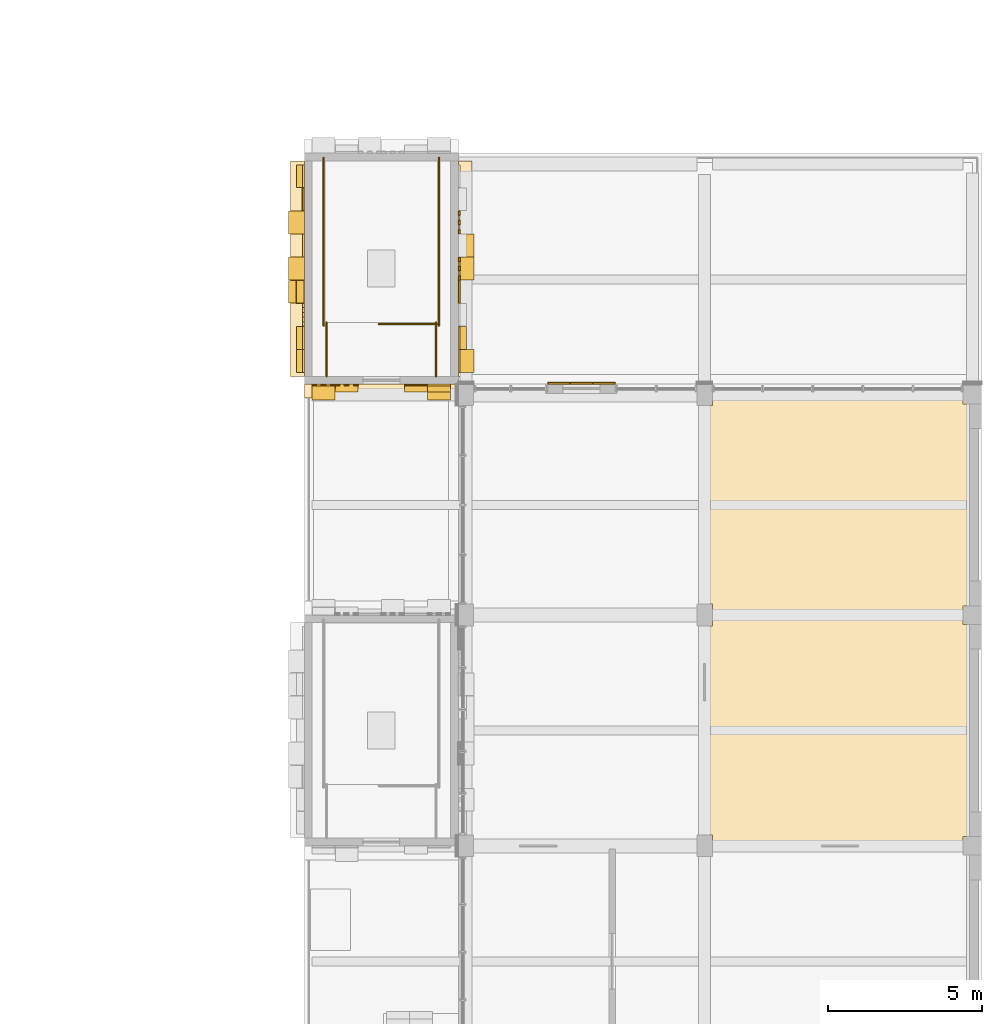
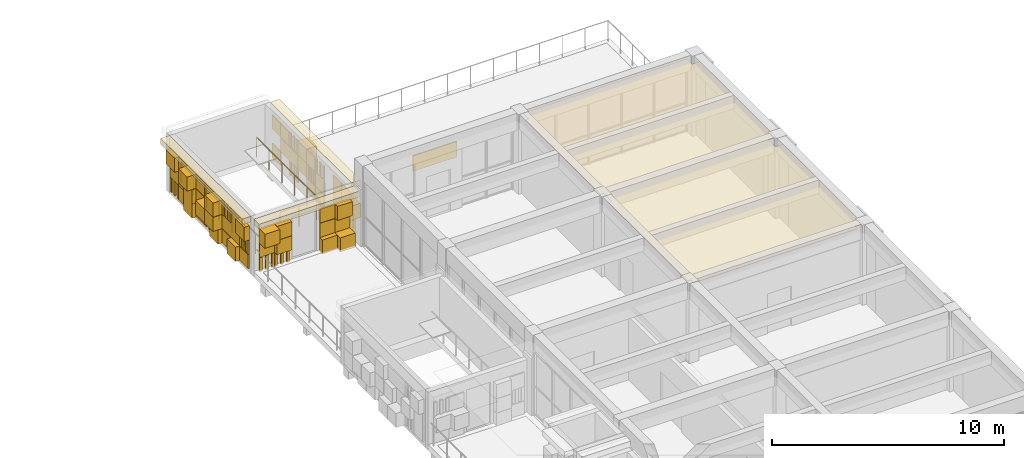
# One storey, part 25 of 26: 22 coverings, 5 railings.
"""IFC4 building model written with IfcOpenShell, lengths in metres."""

from ifc_helpers import new_model, si_unit, direction, frame, origin, origin_2d, place, context, subcontext, project, spatial, polyline, rectangle, circle, outline, extrude, material, layer, layer_set, type_object, element, save


model = new_model("IFC4")

# Units and contexts
model_context = context("Model", 3, precision=1e-05, world=origin(), true_north=direction((0.0, 1.0)))
body_context = subcontext(model_context, "Body", "Model", "MODEL_VIEW")
ifc_project = project(units=[si_unit("LENGTHUNIT", "METRE"), si_unit("AREAUNIT", "SQUARE_METRE"), si_unit("VOLUMEUNIT", "CUBIC_METRE"), si_unit("PLANEANGLEUNIT", "RADIAN"), si_unit("MASSUNIT", "GRAM", prefix="KILO")], contexts=[model_context])

# Site, building, storey
site_placement = place(None, origin())
site = spatial("IfcSite", under=ifc_project, at=site_placement, CompositionType="ELEMENT")
building_placement = place(site_placement, origin())
building = spatial("IfcBuilding", under=site, at=building_placement, Name="Sun Court Science Centre", CompositionType="ELEMENT")
storey_placement = place(building_placement, frame((0.0, 0.0, 29.25)))
storey = spatial("IfcBuildingStorey", under=building, at=storey_placement, Name="L06", CompositionType="ELEMENT", Elevation=29.25)

# Covering
ifc_material_1 = material(Name="Gypsum board")
ifc_layer_1 = layer(ifc_material_1, 0.030029296875)
ifc_layer_set_1 = layer_set([ifc_layer_1], Name="Gypsum board")
covering_type_1 = type_object("IfcCoveringType", Name="Ceiling suspended 600 module", PredefinedType="CEILING", material=ifc_layer_set_1)
covering_1_placement = place(storey_placement, frame((0.0, 0.0, 3.77001953125)))
element("IfcCovering", 1, at=covering_1_placement, inside=storey, type_object=covering_type_1, Name="L06-010 ceiling", PredefinedType="CEILING", context=body_context, shape_type="SweptSolid", body=[
    extrude(outline(polyline([(103.800048828125, 72.85009765625), (103.800048828125, 66.300048828125), (103.39990234375, 66.300048828125), (103.39990234375, 65.699951171875), (103.800048828125, 65.699951171875), (103.800048828125, 58.800048828125), (103.39990234375, 58.800048828125), (103.39990234375, 58.60009765625), (95.25, 58.60009765625), (95.25, 58.85009765625), (95.10009765625, 58.85009765625), (95.10009765625, 65.64990234375), (95.25, 65.64990234375), (95.25, 66.35009765625), (95.10009765625, 66.35009765625), (95.10009765625, 72.800048828125), (95.25, 72.800048828125), (95.25, 73.300048828125), (103.39990234375, 73.300048828125), (103.39990234375, 72.85009765625), (103.800048828125, 72.85009765625)])), origin(), (0.0, 0.0, 1.0), 0.030029296875),
])

# Railings
ifc_material_2 = material(Name="Steel S275", Category="steel")
railing_type = type_object("IfcRailingType", Name="Guard 1100 steel balustrade", PredefinedType="GUARDRAIL", material=ifc_material_2)
railing_placement = place(storey_placement, frame((86.322998046875, 75.447998046875, 0.0)))
element("IfcRailing", 2, at=railing_placement, inside=storey, type_object=railing_type, Name="L06 SL4 top well guard 1", PredefinedType="GUARDRAIL", context=body_context, shape_type="SweptSolid", body=[
    extrude(circle(Radius=0.02392578125, at=origin_2d()), frame((0.0, 0.0, 1.076171875), z_axis=(-1.0, 0.0, 0.0), x_axis=(0.0, -1.0, 0.0)), (0.0, 0.0, 1.0), 1.89794921875),
    extrude(circle(Radius=0.02099609375, at=origin_2d()), origin(), (0.0, 0.0, 1.0), 1.052001953125),
    extrude(circle(Radius=0.02099609375, at=origin_2d()), frame((-0.948974609375, 0.0, 0.0)), (0.0, 0.0, 1.0), 1.052001953125),
    extrude(circle(Radius=0.02099609375, at=origin_2d()), frame((-1.89794921875, 0.0, 0.0)), (0.0, 0.0, 1.0), 1.052001953125),
])
for number, where, name in (
    (3, (86.373046875, 75.39794921875, 0.0), "L06 SL4 top well guard 2"),
    (4, (82.626953125, 75.39794921875, 0.0), "L06 SL4 top well guard 3"),
):
    element("IfcRailing", number, at=place(storey_placement, frame(where)), inside=storey, type_object=railing_type, Name=name, PredefinedType="GUARDRAIL", context=body_context, shape_type="SweptSolid", body=[
        extrude(circle(Radius=0.02392578125, at=origin_2d()), frame((0.0, 0.0, 1.076171875), z_axis=(0.0, 1.0, 0.0), x_axis=(-1.0, 0.0, 0.0)), (0.0, 0.0, 1.0), 5.4521484375),
        extrude(circle(Radius=0.02099609375, at=origin_2d()), origin(), (0.0, 0.0, 1.0), 1.052001953125),
        extrude(circle(Radius=0.02099609375, at=origin_2d()), frame((0.0, 1.09033203125, 0.0)), (0.0, 0.0, 1.0), 1.052001953125),
        extrude(circle(Radius=0.02099609375, at=origin_2d()), frame((0.0, 2.180908203125, 0.0)), (0.0, 0.0, 1.0), 1.052001953125),
        extrude(circle(Radius=0.02099609375, at=origin_2d()), frame((0.0, 3.271240234375, 0.0)), (0.0, 0.0, 1.0), 1.052001953125),
        extrude(circle(Radius=0.02099609375, at=origin_2d()), frame((0.0, 4.36181640625, 0.0)), (0.0, 0.0, 1.0), 1.052001953125),
        extrude(circle(Radius=0.02099609375, at=origin_2d()), frame((0.0, 5.4521484375, 0.0)), (0.0, 0.0, 1.0), 1.052001953125),
    ])
for number, where, name in (
    (5, (86.27294921875, 73.75, 0.0), "L06 SL4 top well guard 4"),
    (6, (82.72705078125, 73.75, 0.0), "L06 SL4 top well guard 5"),
):
    element("IfcRailing", number, at=place(storey_placement, frame(where)), inside=storey, type_object=railing_type, Name=name, PredefinedType="GUARDRAIL", context=body_context, shape_type="SweptSolid", body=[
        extrude(circle(Radius=0.02392578125, at=origin_2d()), frame((0.0, 0.0, 1.076171875), z_axis=(0.0, 1.0, 0.0), x_axis=(-1.0, 0.0, 0.0)), (0.0, 0.0, 1.0), 1.748046875),
        extrude(circle(Radius=0.02099609375, at=origin_2d()), origin(), (0.0, 0.0, 1.0), 1.052001953125),
        extrude(circle(Radius=0.02099609375, at=origin_2d()), frame((0.0, 0.8740234375, 0.0)), (0.0, 0.0, 1.0), 1.052001953125),
        extrude(circle(Radius=0.02099609375, at=origin_2d()), frame((0.0, 1.748046875, 0.0)), (0.0, 0.0, 1.0), 1.052001953125),
    ])

# Coverings
ifc_material_3 = material(Name="Red sandstone", Category="masonry")
ifc_layer_2 = layer(ifc_material_3, 0.06005859375)
ifc_layer_set_2 = layer_set([ifc_layer_2], Name="Red sandstone")
covering_type_2 = type_object("IfcCoveringType", Name="Red sandstone wall cladding 750", PredefinedType="CLADDING", material=ifc_layer_set_2)
covering_2_placement = place(storey_placement, frame((0.0, 0.0, -29.25)))
element("IfcCovering", 7, at=covering_2_placement, inside=storey, type_object=covering_type_2, Name="Red sandstone wall cladding observatory north face L06", PredefinedType="CLADDING", context=body_context, shape_type="SweptSolid", body=[
    extrude(rectangle(XDim=0.723388671875, YDim=0.06005859375, at=origin_2d()), frame((90.2666015625, 73.530029296875, 31.72998046875), z_axis=(0.0, 0.0, 1.0), x_axis=(1.0, 0.0, 0.0)), (0.0, 0.0, 1.0), 0.81494140625),
    extrude(rectangle(XDim=0.723388671875, YDim=0.06005859375, at=origin_2d()), frame((91.0, 73.530029296875, 31.72998046875), z_axis=(0.0, 0.0, 1.0), x_axis=(1.0, 0.0, 0.0)), (0.0, 0.0, 1.0), 0.81494140625),
    extrude(rectangle(XDim=0.723388671875, YDim=0.06005859375, at=origin_2d()), frame((91.7333984375, 73.530029296875, 31.72998046875), z_axis=(0.0, 0.0, 1.0), x_axis=(1.0, 0.0, 0.0)), (0.0, 0.0, 1.0), 0.81494140625),
])
ifc_material_4 = material(Name="Terracotta panel", Category="masonry")
ifc_layer_3 = layer(ifc_material_4, 0.449951171875)
ifc_layer_set_3 = layer_set([ifc_layer_3], Name="Terracotta panel")
covering_type_3 = type_object("IfcCoveringType", Name="Terracotta cornice 450", PredefinedType="CLADDING", material=ifc_layer_set_3)
covering_3_placement = place(storey_placement, frame((0.0, 0.0, -29.25)))
element("IfcCovering", 8, at=covering_3_placement, inside=storey, type_object=covering_type_3, Name="Terracotta cornice east face of core L06", PredefinedType="CLADDING", context=body_context, shape_type="SweptSolid", body=[
    extrude(rectangle(XDim=7.0, YDim=0.449951171875, at=origin_2d()), frame((87.22509765625, 77.25, 31.7001953125), z_axis=(0.0, 0.0, 1.0), x_axis=(0.0, -1.0, 0.0)), (0.0, 0.0, 1.0), 0.300048828125),
])
covering_4_placement = place(storey_placement, frame((0.0, 0.0, -29.25)))
element("IfcCovering", 9, at=covering_4_placement, inside=storey, type_object=covering_type_3, Name="Terracotta cornice south face of core L06", PredefinedType="CLADDING", context=body_context, shape_type="SweptSolid", body=[
    extrude(rectangle(XDim=5.0, YDim=0.449951171875, at=origin_2d()), frame((84.5, 73.27490234375, 31.7001953125), z_axis=(0.0, 0.0, 1.0), x_axis=(-1.0, 0.0, 0.0)), (0.0, 0.0, 1.0), 0.300048828125),
])
covering_5_placement = place(storey_placement, frame((0.0, 0.0, -29.25)))
element("IfcCovering", 10, at=covering_5_placement, inside=storey, type_object=covering_type_3, Name="Terracotta cornice west face of core L06", PredefinedType="CLADDING", context=body_context, shape_type="SweptSolid", body=[
    extrude(rectangle(XDim=7.0, YDim=0.449951171875, at=origin_2d()), frame((81.77490234375, 77.25, 31.7001953125), z_axis=(0.0, 0.0, 1.0), x_axis=(0.0, 1.0, 0.0)), (0.0, 0.0, 1.0), 0.300048828125),
])
ifc_material_5 = material(Name="Terracotta jali", Category="masonry")
ifc_layer_4 = layer(ifc_material_5, 0.06005859375)
ifc_layer_set_4 = layer_set([ifc_layer_4], Name="Terracotta jali")
covering_type_4 = type_object("IfcCoveringType", Name="Terracotta open jali panel", PredefinedType="CLADDING", material=ifc_layer_set_4)
covering_6_placement = place(storey_placement, frame((0.0, 0.0, -29.25)))
element("IfcCovering", 11, at=covering_6_placement, inside=storey, type_object=covering_type_4, Name="Open jali pixel cladding east face of core L06", PredefinedType="CLADDING", context=body_context, shape_type="SweptSolid", body=[
    extrude(rectangle(XDim=0.139892578125, YDim=0.06005859375, at=origin_2d()), frame((87.030029296875, 79.050048828125, 29.18017578125), z_axis=(0.0, 0.0, 1.0), x_axis=(0.0, -1.0, 0.0)), (0.0, 0.0, 1.0), 0.739990234375),
    extrude(rectangle(XDim=0.139892578125, YDim=0.06005859375, at=origin_2d()), frame((87.030029296875, 78.75, 29.18017578125), z_axis=(0.0, 0.0, 1.0), x_axis=(0.0, -1.0, 0.0)), (0.0, 0.0, 1.0), 0.739990234375),
    extrude(rectangle(XDim=0.139892578125, YDim=0.06005859375, at=origin_2d()), frame((87.030029296875, 78.449951171875, 29.18017578125), z_axis=(0.0, 0.0, 1.0), x_axis=(0.0, -1.0, 0.0)), (0.0, 0.0, 1.0), 0.739990234375),
    extrude(rectangle(XDim=0.139892578125, YDim=0.06005859375, at=origin_2d()), frame((87.030029296875, 77.550048828125, 29.93017578125), z_axis=(0.0, 0.0, 1.0), x_axis=(0.0, -1.0, 0.0)), (0.0, 0.0, 1.0), 0.739990234375),
    extrude(rectangle(XDim=0.139892578125, YDim=0.06005859375, at=origin_2d()), frame((87.030029296875, 77.25, 29.93017578125), z_axis=(0.0, 0.0, 1.0), x_axis=(0.0, -1.0, 0.0)), (0.0, 0.0, 1.0), 0.739990234375),
    extrude(rectangle(XDim=0.139892578125, YDim=0.06005859375, at=origin_2d()), frame((87.030029296875, 76.949951171875, 29.93017578125), z_axis=(0.0, 0.0, 1.0), x_axis=(0.0, -1.0, 0.0)), (0.0, 0.0, 1.0), 0.739990234375),
    extrude(rectangle(XDim=0.139892578125, YDim=0.06005859375, at=origin_2d()), frame((87.030029296875, 79.050048828125, 30.68017578125), z_axis=(0.0, 0.0, 1.0), x_axis=(0.0, -1.0, 0.0)), (0.0, 0.0, 1.0), 0.739990234375),
    extrude(rectangle(XDim=0.139892578125, YDim=0.06005859375, at=origin_2d()), frame((87.030029296875, 78.75, 30.68017578125), z_axis=(0.0, 0.0, 1.0), x_axis=(0.0, -1.0, 0.0)), (0.0, 0.0, 1.0), 0.739990234375),
    extrude(rectangle(XDim=0.139892578125, YDim=0.06005859375, at=origin_2d()), frame((87.030029296875, 78.449951171875, 30.68017578125), z_axis=(0.0, 0.0, 1.0), x_axis=(0.0, -1.0, 0.0)), (0.0, 0.0, 1.0), 0.739990234375),
    extrude(rectangle(XDim=0.139892578125, YDim=0.06005859375, at=origin_2d()), frame((87.030029296875, 76.800048828125, 30.68017578125), z_axis=(0.0, 0.0, 1.0), x_axis=(0.0, -1.0, 0.0)), (0.0, 0.0, 1.0), 0.739990234375),
    extrude(rectangle(XDim=0.139892578125, YDim=0.06005859375, at=origin_2d()), frame((87.030029296875, 76.5, 30.68017578125), z_axis=(0.0, 0.0, 1.0), x_axis=(0.0, -1.0, 0.0)), (0.0, 0.0, 1.0), 0.739990234375),
    extrude(rectangle(XDim=0.139892578125, YDim=0.06005859375, at=origin_2d()), frame((87.030029296875, 76.199951171875, 30.68017578125), z_axis=(0.0, 0.0, 1.0), x_axis=(0.0, -1.0, 0.0)), (0.0, 0.0, 1.0), 0.739990234375),
    extrude(rectangle(XDim=0.739990234375, YDim=0.06005859375, at=origin_2d()), frame((87.030029296875, 76.5, 29.93017578125), z_axis=(0.0, 0.0, 1.0), x_axis=(0.0, -1.0, 0.0)), (0.0, 0.0, 1.0), 0.739990234375),
])
covering_7_placement = place(storey_placement, frame((0.0, 0.0, -29.25)))
element("IfcCovering", 12, at=covering_7_placement, inside=storey, type_object=covering_type_4, Name="Open jali pixel cladding south face of core L06", PredefinedType="CLADDING", context=body_context, shape_type="SweptSolid", body=[
    extrude(rectangle(XDim=0.139892578125, YDim=0.06005859375, at=origin_2d()), frame((83.675048828125, 73.469970703125, 29.18017578125), z_axis=(0.0, 0.0, 1.0), x_axis=(-1.0, 0.0, 0.0)), (0.0, 0.0, 1.0), 0.739990234375),
    extrude(rectangle(XDim=0.139892578125, YDim=0.06005859375, at=origin_2d()), frame((83.375, 73.469970703125, 29.18017578125), z_axis=(0.0, 0.0, 1.0), x_axis=(-1.0, 0.0, 0.0)), (0.0, 0.0, 1.0), 0.739990234375),
    extrude(rectangle(XDim=0.139892578125, YDim=0.06005859375, at=origin_2d()), frame((83.074951171875, 73.469970703125, 29.18017578125), z_axis=(0.0, 0.0, 1.0), x_axis=(-1.0, 0.0, 0.0)), (0.0, 0.0, 1.0), 0.739990234375),
    extrude(rectangle(XDim=0.139892578125, YDim=0.06005859375, at=origin_2d()), frame((82.925048828125, 73.469970703125, 29.18017578125), z_axis=(0.0, 0.0, 1.0), x_axis=(-1.0, 0.0, 0.0)), (0.0, 0.0, 1.0), 0.739990234375),
    extrude(rectangle(XDim=0.139892578125, YDim=0.06005859375, at=origin_2d()), frame((82.625, 73.469970703125, 29.18017578125), z_axis=(0.0, 0.0, 1.0), x_axis=(-1.0, 0.0, 0.0)), (0.0, 0.0, 1.0), 0.739990234375),
    extrude(rectangle(XDim=0.139892578125, YDim=0.06005859375, at=origin_2d()), frame((82.324951171875, 73.469970703125, 29.18017578125), z_axis=(0.0, 0.0, 1.0), x_axis=(-1.0, 0.0, 0.0)), (0.0, 0.0, 1.0), 0.739990234375),
])
covering_8_placement = place(storey_placement, frame((0.0, 0.0, -29.25)))
element("IfcCovering", 13, at=covering_8_placement, inside=storey, type_object=covering_type_4, Name="Open jali pixel cladding west face of core L06", PredefinedType="CLADDING", context=body_context, shape_type="SweptSolid", body=[
    extrude(rectangle(XDim=0.139892578125, YDim=0.06005859375, at=origin_2d()), frame((81.969970703125, 76.949951171875, 29.18017578125), z_axis=(0.0, 0.0, 1.0), x_axis=(0.0, 1.0, 0.0)), (0.0, 0.0, 1.0), 0.739990234375),
    extrude(rectangle(XDim=0.139892578125, YDim=0.06005859375, at=origin_2d()), frame((81.969970703125, 77.25, 29.18017578125), z_axis=(0.0, 0.0, 1.0), x_axis=(0.0, 1.0, 0.0)), (0.0, 0.0, 1.0), 0.739990234375),
    extrude(rectangle(XDim=0.139892578125, YDim=0.06005859375, at=origin_2d()), frame((81.969970703125, 77.550048828125, 29.18017578125), z_axis=(0.0, 0.0, 1.0), x_axis=(0.0, 1.0, 0.0)), (0.0, 0.0, 1.0), 0.739990234375),
    extrude(rectangle(XDim=0.139892578125, YDim=0.06005859375, at=origin_2d()), frame((81.969970703125, 79.949951171875, 29.18017578125), z_axis=(0.0, 0.0, 1.0), x_axis=(0.0, 1.0, 0.0)), (0.0, 0.0, 1.0), 0.739990234375),
    extrude(rectangle(XDim=0.139892578125, YDim=0.06005859375, at=origin_2d()), frame((81.969970703125, 80.25, 29.18017578125), z_axis=(0.0, 0.0, 1.0), x_axis=(0.0, 1.0, 0.0)), (0.0, 0.0, 1.0), 0.739990234375),
    extrude(rectangle(XDim=0.139892578125, YDim=0.06005859375, at=origin_2d()), frame((81.969970703125, 80.550048828125, 29.18017578125), z_axis=(0.0, 0.0, 1.0), x_axis=(0.0, 1.0, 0.0)), (0.0, 0.0, 1.0), 0.739990234375),
    extrude(rectangle(XDim=0.139892578125, YDim=0.06005859375, at=origin_2d()), frame((81.969970703125, 73.949951171875, 29.93017578125), z_axis=(0.0, 0.0, 1.0), x_axis=(0.0, 1.0, 0.0)), (0.0, 0.0, 1.0), 0.739990234375),
    extrude(rectangle(XDim=0.139892578125, YDim=0.06005859375, at=origin_2d()), frame((81.969970703125, 74.25, 29.93017578125), z_axis=(0.0, 0.0, 1.0), x_axis=(0.0, 1.0, 0.0)), (0.0, 0.0, 1.0), 0.739990234375),
    extrude(rectangle(XDim=0.139892578125, YDim=0.06005859375, at=origin_2d()), frame((81.969970703125, 74.550048828125, 29.93017578125), z_axis=(0.0, 0.0, 1.0), x_axis=(0.0, 1.0, 0.0)), (0.0, 0.0, 1.0), 0.739990234375),
    extrude(rectangle(XDim=0.139892578125, YDim=0.06005859375, at=origin_2d()), frame((81.969970703125, 75.449951171875, 30.68017578125), z_axis=(0.0, 0.0, 1.0), x_axis=(0.0, 1.0, 0.0)), (0.0, 0.0, 1.0), 0.739990234375),
    extrude(rectangle(XDim=0.139892578125, YDim=0.06005859375, at=origin_2d()), frame((81.969970703125, 75.75, 30.68017578125), z_axis=(0.0, 0.0, 1.0), x_axis=(0.0, 1.0, 0.0)), (0.0, 0.0, 1.0), 0.739990234375),
    extrude(rectangle(XDim=0.139892578125, YDim=0.06005859375, at=origin_2d()), frame((81.969970703125, 76.050048828125, 30.68017578125), z_axis=(0.0, 0.0, 1.0), x_axis=(0.0, 1.0, 0.0)), (0.0, 0.0, 1.0), 0.739990234375),
    extrude(rectangle(XDim=0.739990234375, YDim=0.260009765625, at=origin_2d()), frame((81.8701171875, 80.25, 30.68017578125), z_axis=(0.0, 0.0, 1.0), x_axis=(0.0, 1.0, 0.0)), (0.0, 0.0, 1.0), 0.739990234375),
    extrude(rectangle(XDim=0.739990234375, YDim=0.260009765625, at=origin_2d()), frame((81.8701171875, 74.25, 30.68017578125), z_axis=(0.0, 0.0, 1.0), x_axis=(0.0, 1.0, 0.0)), (0.0, 0.0, 1.0), 0.739990234375),
])
ifc_material_6 = material(Name="Terracotta shade 1", Category="masonry")
ifc_layer_5 = layer(ifc_material_6, 0.06005859375)
ifc_layer_set_5 = layer_set([ifc_layer_5], Name="Terracotta shade 1")
covering_type_5 = type_object("IfcCoveringType", Name="Terracotta pixel panel shade 1", PredefinedType="CLADDING", material=ifc_layer_set_5)
covering_9_placement = place(storey_placement, frame((0.0, 0.0, -29.25)))
element("IfcCovering", 14, at=covering_9_placement, inside=storey, type_object=covering_type_5, Name="Terracotta pixel cladding shade 1 east face of core L06", PredefinedType="CLADDING", context=body_context, shape_type="SweptSolid", body=[
    extrude(rectangle(XDim=0.739990234375, YDim=0.260009765625, at=origin_2d()), frame((87.1298828125, 75.0, 29.18017578125), z_axis=(0.0, 0.0, 1.0), x_axis=(0.0, -1.0, 0.0)), (0.0, 0.0, 1.0), 0.739990234375),
    extrude(rectangle(XDim=0.739990234375, YDim=0.06005859375, at=origin_2d()), frame((87.030029296875, 79.5, 29.93017578125), z_axis=(0.0, 0.0, 1.0), x_axis=(0.0, -1.0, 0.0)), (0.0, 0.0, 1.0), 0.739990234375),
    extrude(rectangle(XDim=0.739990234375, YDim=0.06005859375, at=origin_2d()), frame((87.030029296875, 78.75, 29.93017578125), z_axis=(0.0, 0.0, 1.0), x_axis=(0.0, -1.0, 0.0)), (0.0, 0.0, 1.0), 0.739990234375),
    extrude(rectangle(XDim=0.739990234375, YDim=0.510009765625, at=origin_2d()), frame((87.2548828125, 74.25, 29.93017578125), z_axis=(0.0, 0.0, 1.0), x_axis=(0.0, -1.0, 0.0)), (0.0, 0.0, 1.0), 0.739990234375),
    extrude(rectangle(XDim=0.739990234375, YDim=0.06005859375, at=origin_2d()), frame((87.030029296875, 80.25, 30.68017578125), z_axis=(0.0, 0.0, 1.0), x_axis=(0.0, -1.0, 0.0)), (0.0, 0.0, 1.0), 0.739990234375),
    extrude(rectangle(XDim=0.739990234375, YDim=0.510009765625, at=origin_2d()), frame((87.2548828125, 78.0, 30.68017578125), z_axis=(0.0, 0.0, 1.0), x_axis=(0.0, -1.0, 0.0)), (0.0, 0.0, 1.0), 0.739990234375),
    extrude(rectangle(XDim=0.739990234375, YDim=0.06005859375, at=origin_2d()), frame((87.030029296875, 74.25, 30.68017578125), z_axis=(0.0, 0.0, 1.0), x_axis=(0.0, -1.0, 0.0)), (0.0, 0.0, 1.0), 0.739990234375),
    extrude(rectangle(XDim=0.739990234375, YDim=0.06005859375, at=origin_2d()), frame((87.030029296875, 80.25, 29.18017578125), z_axis=(0.0, 0.0, 1.0), x_axis=(0.0, -1.0, 0.0)), (0.0, 0.0, 1.0), 0.739990234375),
    extrude(rectangle(XDim=0.739990234375, YDim=0.260009765625, at=origin_2d()), frame((87.1298828125, 74.25, 29.18017578125), z_axis=(0.0, 0.0, 1.0), x_axis=(0.0, -1.0, 0.0)), (0.0, 0.0, 1.0), 0.739990234375),
])
covering_10_placement = place(storey_placement, frame((0.0, 0.0, -29.25)))
element("IfcCovering", 15, at=covering_10_placement, inside=storey, type_object=covering_type_5, Name="Terracotta pixel cladding shade 1 south face of core L06", PredefinedType="CLADDING", context=body_context, shape_type="SweptSolid", body=[
    extrude(rectangle(XDim=0.739990234375, YDim=0.06005859375, at=origin_2d()), frame((85.625, 73.469970703125, 29.93017578125), z_axis=(0.0, 0.0, 1.0), x_axis=(-1.0, 0.0, 0.0)), (0.0, 0.0, 1.0), 0.739990234375),
    extrude(rectangle(XDim=0.739990234375, YDim=0.260009765625, at=origin_2d()), frame((83.375, 73.3701171875, 29.93017578125), z_axis=(0.0, 0.0, 1.0), x_axis=(-1.0, 0.0, 0.0)), (0.0, 0.0, 1.0), 0.739990234375),
    extrude(rectangle(XDim=0.739990234375, YDim=0.510009765625, at=origin_2d()), frame((82.625, 73.2451171875, 30.68017578125), z_axis=(0.0, 0.0, 1.0), x_axis=(-1.0, 0.0, 0.0)), (0.0, 0.0, 1.0), 0.739990234375),
])
covering_11_placement = place(storey_placement, frame((0.0, 0.0, -29.25)))
element("IfcCovering", 16, at=covering_11_placement, inside=storey, type_object=covering_type_5, Name="Terracotta pixel cladding shade 1 west face of core L06", PredefinedType="CLADDING", context=body_context, shape_type="SweptSolid", body=[
    extrude(rectangle(XDim=0.739990234375, YDim=0.260009765625, at=origin_2d()), frame((81.8701171875, 75.0, 29.18017578125), z_axis=(0.0, 0.0, 1.0), x_axis=(0.0, 1.0, 0.0)), (0.0, 0.0, 1.0), 0.739990234375),
    extrude(rectangle(XDim=0.739990234375, YDim=0.06005859375, at=origin_2d()), frame((81.969970703125, 75.75, 29.18017578125), z_axis=(0.0, 0.0, 1.0), x_axis=(0.0, 1.0, 0.0)), (0.0, 0.0, 1.0), 0.739990234375),
    extrude(rectangle(XDim=0.739990234375, YDim=0.06005859375, at=origin_2d()), frame((81.969970703125, 75.75, 29.93017578125), z_axis=(0.0, 0.0, 1.0), x_axis=(0.0, 1.0, 0.0)), (0.0, 0.0, 1.0), 0.739990234375),
    extrude(rectangle(XDim=0.739990234375, YDim=0.06005859375, at=origin_2d()), frame((81.969970703125, 78.0, 29.93017578125), z_axis=(0.0, 0.0, 1.0), x_axis=(0.0, 1.0, 0.0)), (0.0, 0.0, 1.0), 0.739990234375),
    extrude(rectangle(XDim=0.739990234375, YDim=0.06005859375, at=origin_2d()), frame((81.969970703125, 75.0, 30.68017578125), z_axis=(0.0, 0.0, 1.0), x_axis=(0.0, 1.0, 0.0)), (0.0, 0.0, 1.0), 0.739990234375),
    extrude(rectangle(XDim=0.739990234375, YDim=0.510009765625, at=origin_2d()), frame((81.7451171875, 76.5, 30.68017578125), z_axis=(0.0, 0.0, 1.0), x_axis=(0.0, 1.0, 0.0)), (0.0, 0.0, 1.0), 0.739990234375),
    extrude(rectangle(XDim=0.739990234375, YDim=0.06005859375, at=origin_2d()), frame((81.969970703125, 79.5, 30.68017578125), z_axis=(0.0, 0.0, 1.0), x_axis=(0.0, 1.0, 0.0)), (0.0, 0.0, 1.0), 0.739990234375),
    extrude(rectangle(XDim=0.739990234375, YDim=0.06005859375, at=origin_2d()), frame((81.969970703125, 75.0, 29.93017578125), z_axis=(0.0, 0.0, 1.0), x_axis=(0.0, 1.0, 0.0)), (0.0, 0.0, 1.0), 0.739990234375),
    extrude(rectangle(XDim=0.739990234375, YDim=0.06005859375, at=origin_2d()), frame((81.969970703125, 79.5, 29.93017578125), z_axis=(0.0, 0.0, 1.0), x_axis=(0.0, 1.0, 0.0)), (0.0, 0.0, 1.0), 0.739990234375),
])
ifc_material_7 = material(Name="Terracotta shade 2", Category="masonry")
ifc_layer_6 = layer(ifc_material_7, 0.06005859375)
ifc_layer_set_6 = layer_set([ifc_layer_6], Name="Terracotta shade 2")
covering_type_6 = type_object("IfcCoveringType", Name="Terracotta pixel panel shade 2", PredefinedType="CLADDING", material=ifc_layer_set_6)
covering_12_placement = place(storey_placement, frame((0.0, 0.0, -29.25)))
element("IfcCovering", 17, at=covering_12_placement, inside=storey, type_object=covering_type_6, Name="Terracotta pixel cladding shade 2 east face of core L06", PredefinedType="CLADDING", context=body_context, shape_type="SweptSolid", body=[
    extrude(rectangle(XDim=0.739990234375, YDim=0.510009765625, at=origin_2d()), frame((87.2548828125, 77.25, 29.18017578125), z_axis=(0.0, 0.0, 1.0), x_axis=(0.0, -1.0, 0.0)), (0.0, 0.0, 1.0), 0.739990234375),
    extrude(rectangle(XDim=0.739990234375, YDim=0.510009765625, at=origin_2d()), frame((87.2548828125, 78.0, 29.93017578125), z_axis=(0.0, 0.0, 1.0), x_axis=(0.0, -1.0, 0.0)), (0.0, 0.0, 1.0), 0.739990234375),
    extrude(rectangle(XDim=0.739990234375, YDim=0.06005859375, at=origin_2d()), frame((87.030029296875, 79.5, 30.68017578125), z_axis=(0.0, 0.0, 1.0), x_axis=(0.0, -1.0, 0.0)), (0.0, 0.0, 1.0), 0.739990234375),
    extrude(rectangle(XDim=0.739990234375, YDim=0.06005859375, at=origin_2d()), frame((87.030029296875, 77.25, 30.68017578125), z_axis=(0.0, 0.0, 1.0), x_axis=(0.0, -1.0, 0.0)), (0.0, 0.0, 1.0), 0.739990234375),
])
covering_13_placement = place(storey_placement, frame((0.0, 0.0, -29.25)))
element("IfcCovering", 18, at=covering_13_placement, inside=storey, type_object=covering_type_6, Name="Terracotta pixel cladding shade 2 south face of core L06", PredefinedType="CLADDING", context=body_context, shape_type="SweptSolid", body=[
    extrude(rectangle(XDim=0.739990234375, YDim=0.510009765625, at=origin_2d()), frame((86.375, 73.2451171875, 29.18017578125), z_axis=(0.0, 0.0, 1.0), x_axis=(-1.0, 0.0, 0.0)), (0.0, 0.0, 1.0), 0.739990234375),
    extrude(rectangle(XDim=0.739990234375, YDim=0.260009765625, at=origin_2d()), frame((86.375, 73.3701171875, 30.68017578125), z_axis=(0.0, 0.0, 1.0), x_axis=(-1.0, 0.0, 0.0)), (0.0, 0.0, 1.0), 0.739990234375),
])
covering_14_placement = place(storey_placement, frame((0.0, 0.0, -29.25)))
element("IfcCovering", 19, at=covering_14_placement, inside=storey, type_object=covering_type_6, Name="Terracotta pixel cladding shade 2 west face of core L06", PredefinedType="CLADDING", context=body_context, shape_type="SweptSolid", body=[
    extrude(rectangle(XDim=0.739990234375, YDim=0.260009765625, at=origin_2d()), frame((81.8701171875, 78.75, 29.18017578125), z_axis=(0.0, 0.0, 1.0), x_axis=(0.0, 1.0, 0.0)), (0.0, 0.0, 1.0), 0.739990234375),
    extrude(rectangle(XDim=0.739990234375, YDim=0.260009765625, at=origin_2d()), frame((81.8701171875, 78.75, 29.93017578125), z_axis=(0.0, 0.0, 1.0), x_axis=(0.0, 1.0, 0.0)), (0.0, 0.0, 1.0), 0.739990234375),
    extrude(rectangle(XDim=0.739990234375, YDim=0.06005859375, at=origin_2d()), frame((81.969970703125, 77.25, 30.68017578125), z_axis=(0.0, 0.0, 1.0), x_axis=(0.0, 1.0, 0.0)), (0.0, 0.0, 1.0), 0.739990234375),
    extrude(rectangle(XDim=0.739990234375, YDim=0.06005859375, at=origin_2d()), frame((81.969970703125, 78.0, 30.68017578125), z_axis=(0.0, 0.0, 1.0), x_axis=(0.0, 1.0, 0.0)), (0.0, 0.0, 1.0), 0.739990234375),
    extrude(rectangle(XDim=0.739990234375, YDim=0.510009765625, at=origin_2d()), frame((81.7451171875, 78.75, 30.68017578125), z_axis=(0.0, 0.0, 1.0), x_axis=(0.0, 1.0, 0.0)), (0.0, 0.0, 1.0), 0.739990234375),
])
ifc_material_8 = material(Name="Terracotta shade 3", Category="masonry")
ifc_layer_7 = layer(ifc_material_8, 0.06005859375)
ifc_layer_set_7 = layer_set([ifc_layer_7], Name="Terracotta shade 3")
covering_type_7 = type_object("IfcCoveringType", Name="Terracotta pixel panel shade 3", PredefinedType="CLADDING", material=ifc_layer_set_7)
covering_15_placement = place(storey_placement, frame((0.0, 0.0, -29.25)))
element("IfcCovering", 20, at=covering_15_placement, inside=storey, type_object=covering_type_7, Name="Terracotta pixel cladding shade 3 south face of core L06", PredefinedType="CLADDING", context=body_context, shape_type="SweptSolid", body=[
    extrude(rectangle(XDim=0.739990234375, YDim=0.260009765625, at=origin_2d()), frame((85.625, 73.3701171875, 29.18017578125), z_axis=(0.0, 0.0, 1.0), x_axis=(-1.0, 0.0, 0.0)), (0.0, 0.0, 1.0), 0.739990234375),
    extrude(rectangle(XDim=0.739990234375, YDim=0.06005859375, at=origin_2d()), frame((86.375, 73.469970703125, 29.93017578125), z_axis=(0.0, 0.0, 1.0), x_axis=(-1.0, 0.0, 0.0)), (0.0, 0.0, 1.0), 0.739990234375),
])
covering_16_placement = place(storey_placement, frame((0.0, 0.0, -29.25)))
element("IfcCovering", 21, at=covering_16_placement, inside=storey, type_object=covering_type_7, Name="Terracotta pixel cladding shade 3 west face of core L06", PredefinedType="CLADDING", context=body_context, shape_type="SweptSolid", body=[
    extrude(rectangle(XDim=0.739990234375, YDim=0.06005859375, at=origin_2d()), frame((81.969970703125, 78.0, 29.18017578125), z_axis=(0.0, 0.0, 1.0), x_axis=(0.0, 1.0, 0.0)), (0.0, 0.0, 1.0), 0.739990234375),
    extrude(rectangle(XDim=0.739990234375, YDim=0.510009765625, at=origin_2d()), frame((81.7451171875, 76.5, 29.93017578125), z_axis=(0.0, 0.0, 1.0), x_axis=(0.0, 1.0, 0.0)), (0.0, 0.0, 1.0), 0.739990234375),
])
ifc_material_9 = material(Name="Terracotta shade 4", Category="masonry")
ifc_layer_8 = layer(ifc_material_9, 0.06005859375)
ifc_layer_set_8 = layer_set([ifc_layer_8], Name="Terracotta shade 4")
covering_type_8 = type_object("IfcCoveringType", Name="Terracotta pixel panel shade 4", PredefinedType="CLADDING", material=ifc_layer_set_8)
covering_17_placement = place(storey_placement, frame((0.0, 0.0, -29.25)))
element("IfcCovering", 22, at=covering_17_placement, inside=storey, type_object=covering_type_8, Name="Terracotta pixel cladding shade 4 east face of core L06", PredefinedType="CLADDING", context=body_context, shape_type="SweptSolid", body=[
    extrude(rectangle(XDim=0.739990234375, YDim=0.06005859375, at=origin_2d()), frame((87.030029296875, 76.5, 29.18017578125), z_axis=(0.0, 0.0, 1.0), x_axis=(0.0, -1.0, 0.0)), (0.0, 0.0, 1.0), 0.739990234375),
])
covering_18_placement = place(storey_placement, frame((0.0, 0.0, -29.25)))
element("IfcCovering", 23, at=covering_18_placement, inside=storey, type_object=covering_type_8, Name="Terracotta pixel cladding shade 4 south face of core L06", PredefinedType="CLADDING", context=body_context, shape_type="SweptSolid", body=[
    extrude(rectangle(XDim=0.739990234375, YDim=0.06005859375, at=origin_2d()), frame((82.625, 73.469970703125, 29.93017578125), z_axis=(0.0, 0.0, 1.0), x_axis=(-1.0, 0.0, 0.0)), (0.0, 0.0, 1.0), 0.739990234375),
    extrude(rectangle(XDim=0.739990234375, YDim=0.260009765625, at=origin_2d()), frame((83.375, 73.3701171875, 30.68017578125), z_axis=(0.0, 0.0, 1.0), x_axis=(-1.0, 0.0, 0.0)), (0.0, 0.0, 1.0), 0.739990234375),
])
covering_19_placement = place(storey_placement, frame((0.0, 0.0, -29.25)))
element("IfcCovering", 24, at=covering_19_placement, inside=storey, type_object=covering_type_8, Name="Terracotta pixel cladding shade 4 west face of core L06", PredefinedType="CLADDING", context=body_context, shape_type="SweptSolid", body=[
    extrude(rectangle(XDim=0.739990234375, YDim=0.06005859375, at=origin_2d()), frame((81.969970703125, 74.25, 29.18017578125), z_axis=(0.0, 0.0, 1.0), x_axis=(0.0, 1.0, 0.0)), (0.0, 0.0, 1.0), 0.739990234375),
    extrude(rectangle(XDim=0.739990234375, YDim=0.510009765625, at=origin_2d()), frame((81.7451171875, 77.25, 29.93017578125), z_axis=(0.0, 0.0, 1.0), x_axis=(0.0, 1.0, 0.0)), (0.0, 0.0, 1.0), 0.739990234375),
    extrude(rectangle(XDim=0.739990234375, YDim=0.06005859375, at=origin_2d()), frame((81.969970703125, 80.25, 29.93017578125), z_axis=(0.0, 0.0, 1.0), x_axis=(0.0, 1.0, 0.0)), (0.0, 0.0, 1.0), 0.739990234375),
])
ifc_material_10 = material(Name="Terracotta shade 5", Category="masonry")
ifc_layer_9 = layer(ifc_material_10, 0.06005859375)
ifc_layer_set_9 = layer_set([ifc_layer_9], Name="Terracotta shade 5")
covering_type_9 = type_object("IfcCoveringType", Name="Terracotta pixel panel shade 5", PredefinedType="CLADDING", material=ifc_layer_set_9)
covering_20_placement = place(storey_placement, frame((0.0, 0.0, -29.25)))
element("IfcCovering", 25, at=covering_20_placement, inside=storey, type_object=covering_type_9, Name="Terracotta pixel cladding shade 5 east face of core L06", PredefinedType="CLADDING", context=body_context, shape_type="SweptSolid", body=[
    extrude(rectangle(XDim=0.739990234375, YDim=0.260009765625, at=origin_2d()), frame((87.1298828125, 75.0, 29.93017578125), z_axis=(0.0, 0.0, 1.0), x_axis=(0.0, -1.0, 0.0)), (0.0, 0.0, 1.0), 0.739990234375),
    extrude(rectangle(XDim=0.739990234375, YDim=0.06005859375, at=origin_2d()), frame((87.030029296875, 75.0, 30.68017578125), z_axis=(0.0, 0.0, 1.0), x_axis=(0.0, -1.0, 0.0)), (0.0, 0.0, 1.0), 0.739990234375),
])
covering_21_placement = place(storey_placement, frame((0.0, 0.0, -29.25)))
element("IfcCovering", 26, at=covering_21_placement, inside=storey, type_object=covering_type_9, Name="Terracotta pixel cladding shade 5 south face of core L06", PredefinedType="CLADDING", context=body_context, shape_type="SweptSolid", body=[
    extrude(rectangle(XDim=0.739990234375, YDim=0.06005859375, at=origin_2d()), frame((85.625, 73.469970703125, 30.68017578125), z_axis=(0.0, 0.0, 1.0), x_axis=(-1.0, 0.0, 0.0)), (0.0, 0.0, 1.0), 0.739990234375),
])
covering_22_placement = place(storey_placement, frame((0.0, 0.0, -29.25)))
element("IfcCovering", 27, at=covering_22_placement, inside=storey, type_object=covering_type_9, Name="Terracotta pixel cladding shade 5 west face of core L06", PredefinedType="CLADDING", context=body_context, shape_type="SweptSolid", body=[
    extrude(rectangle(XDim=0.739990234375, YDim=0.260009765625, at=origin_2d()), frame((81.8701171875, 76.5, 29.18017578125), z_axis=(0.0, 0.0, 1.0), x_axis=(0.0, 1.0, 0.0)), (0.0, 0.0, 1.0), 0.739990234375),
    extrude(rectangle(XDim=0.739990234375, YDim=0.06005859375, at=origin_2d()), frame((81.969970703125, 79.5, 29.18017578125), z_axis=(0.0, 0.0, 1.0), x_axis=(0.0, 1.0, 0.0)), (0.0, 0.0, 1.0), 0.739990234375),
])

save(model, "model.ifc")
